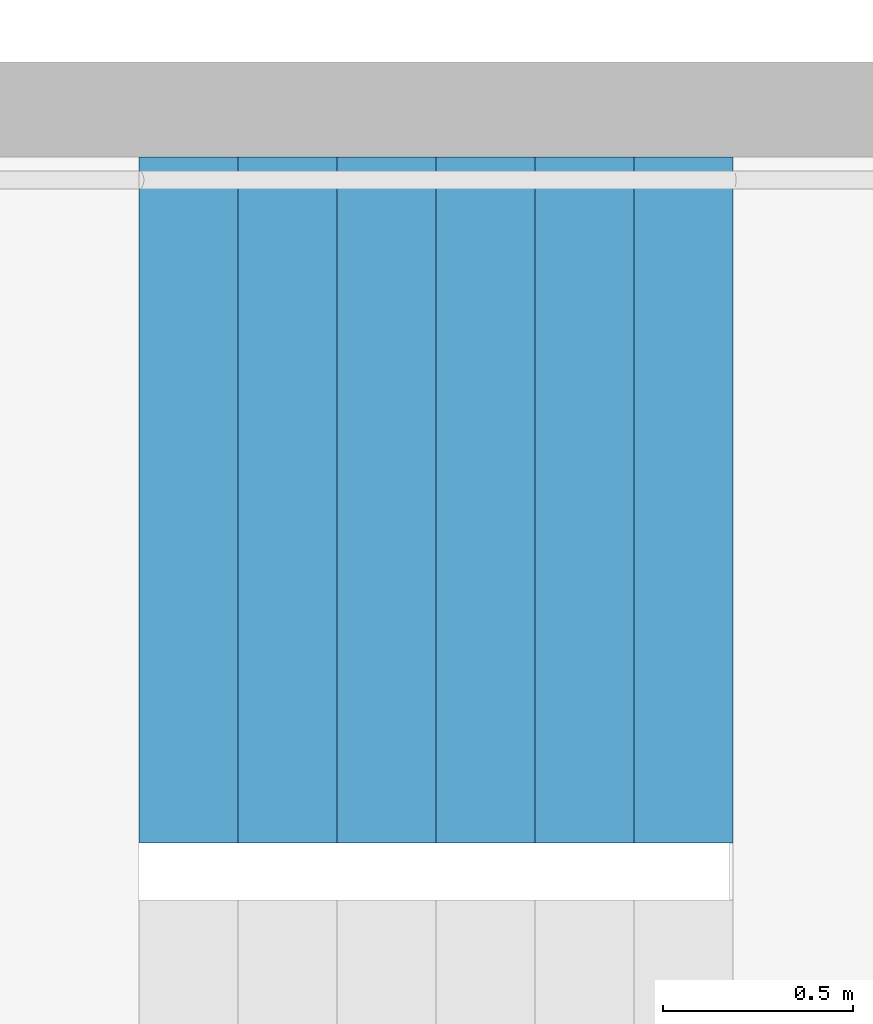
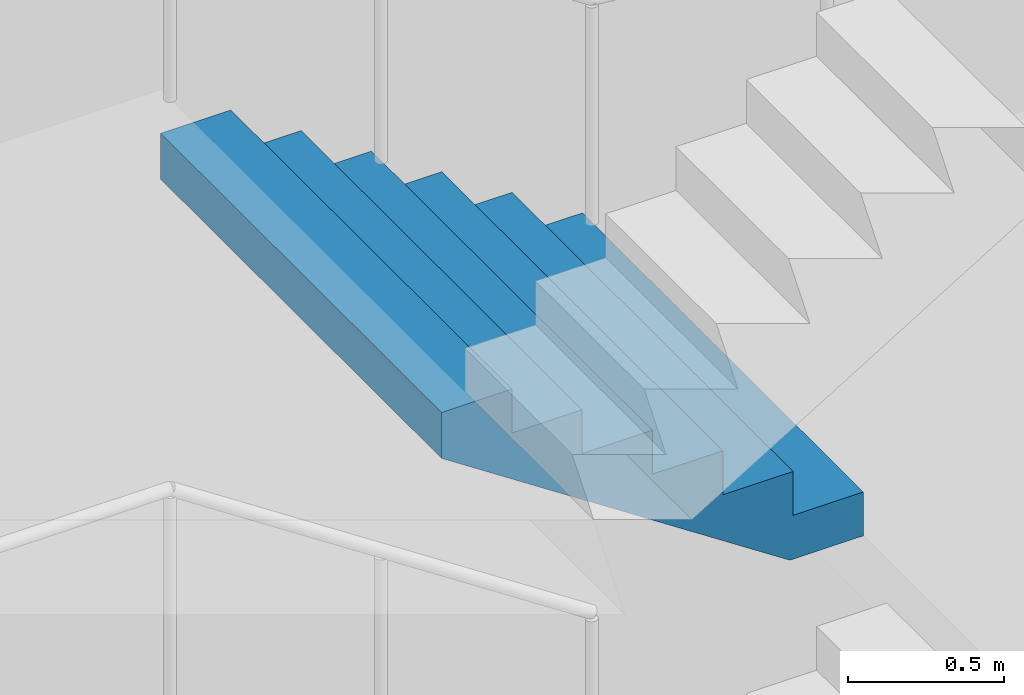
# One storey, part 30 of 53: 1 stair flight, 1 element without a shape of its own.
"""IFC4 building model written with IfcOpenShell, lengths in metres."""

from ifc_helpers import new_model, si_unit, direction, frame, origin, place, context, subcontext, project, spatial, triangles, material, type_object, element, aggregate, save


model = new_model("IFC4")

# Units and contexts
model_context = context("Model", 3, precision=1e-05, world=origin(), true_north=direction((0.0, 1.0)))
body_context = subcontext(model_context, "Body", "Model", "MODEL_VIEW")
ifc_project = project(units=[si_unit("LENGTHUNIT", "METRE"), si_unit("AREAUNIT", "SQUARE_METRE"), si_unit("VOLUMEUNIT", "CUBIC_METRE"), si_unit("PLANEANGLEUNIT", "RADIAN"), si_unit("MASSUNIT", "GRAM", prefix="KILO")], contexts=[model_context])

# Site, building, storey
site_placement = place(None, origin())
site = spatial("IfcSite", under=ifc_project, at=site_placement, CompositionType="ELEMENT")
building_placement = place(site_placement, origin())
building = spatial("IfcBuilding", under=site, at=building_placement, Name="Hakoniwa Tower and Hamabe Station Hall", CompositionType="ELEMENT")
storey_placement = place(building_placement, frame((0.0, 0.0, 15.0)))
storey = spatial("IfcBuildingStorey", under=building, at=storey_placement, Name="L03", CompositionType="ELEMENT", Elevation=15.0)

# Stair, stair flight
ifc_material_1 = material(Name="Concrete C40", Category="concrete")
stair_type = type_object("IfcStairType", Name="ESCAPE STAIR 1800", PredefinedType="HALF_TURN_STAIR", material=ifc_material_1)
stair_placement = place(storey_placement, origin())
stair = element("IfcStair", 1, at=stair_placement, inside=storey, type_object=stair_type, Name="Escape stair ST-2 L03", PredefinedType="HALF_TURN_STAIR")
ifc_material_2 = material(Name="Concrete C40", Category="concrete")
stair_flight_type = type_object("IfcStairFlightType", Name="STAIR FLIGHT 1800", PredefinedType="STRAIGHT", material=ifc_material_2)
stair_flight_placement = place(storey_placement, frame((-23.39990234375, -4.64990234375, 2.39990234375), z_axis=(0.0, 0.0, 1.0), x_axis=(-1.0, 0.0, 0.0)))
stair_flight = element("IfcStairFlight", 2, at=stair_flight_placement, type_object=stair_flight_type, Name="ST-2 flight 3", NumberOfRisers=7, NumberOfTreads=6, PredefinedType="STRAIGHT", RiserHeight=0.171428571, TreadLength=0.26, context=body_context, shape_type="Tessellation", body=[
    triangles([(0.0, 0.89990234375, 0.0), (0.260009765625, 0.89990234375, 0.0), (0.272216796875, 0.89990234375, 0.0), (0.52001953125, 0.89990234375, 0.163330078125), (0.780029296875, 0.89990234375, 0.334716796875), (1.0400390625, 0.89990234375, 0.506103515625), (1.300048828125, 0.89990234375, 0.677490234375), (1.56005859375, 0.89990234375, 0.84912109375), (1.56005859375, 0.89990234375, 1.028564453125), (1.300048828125, 0.89990234375, 1.028564453125), (1.300048828125, 0.89990234375, 0.857177734375), (1.0400390625, 0.89990234375, 0.857177734375), (1.0400390625, 0.89990234375, 0.685791015625), (0.780029296875, 0.89990234375, 0.685791015625), (0.780029296875, 0.89990234375, 0.514404296875), (0.52001953125, 0.89990234375, 0.514404296875), (0.52001953125, 0.89990234375, 0.3427734375), (0.272216796875, 0.89990234375, 0.3427734375), (0.260009765625, 0.89990234375, 0.3427734375), (0.260009765625, 0.89990234375, 0.17138671875), (0.0, 0.89990234375, 0.17138671875), (0.0, 0.06005859375, 0.0), (0.260009765625, 0.06005859375, 0.0), (0.272216796875, 0.06005859375, 0.0), (0.52001953125, 0.06005859375, 0.163330078125), (0.780029296875, 0.06005859375, 0.334716796875), (1.0400390625, 0.06005859375, 0.506103515625), (1.300048828125, 0.06005859375, 0.677490234375), (1.56005859375, 0.06005859375, 0.84912109375), (1.56005859375, 0.06005859375, 1.028564453125), (1.300048828125, 0.06005859375, 1.028564453125), (1.300048828125, 0.06005859375, 0.857177734375), (1.0400390625, 0.06005859375, 0.857177734375), (1.0400390625, 0.06005859375, 0.685791015625), (0.780029296875, 0.06005859375, 0.685791015625), (0.780029296875, 0.06005859375, 0.514404296875), (0.52001953125, 0.06005859375, 0.514404296875), (0.52001953125, 0.06005859375, 0.3427734375), (0.272216796875, 0.06005859375, 0.3427734375), (0.260009765625, 0.06005859375, 0.3427734375), (0.260009765625, 0.06005859375, 0.17138671875), (0.0, 0.06005859375, 0.17138671875), (0.0, 0.049072265625, 0.0), (0.260009765625, 0.049072265625, 0.0), (0.272216796875, 0.049072265625, 0.0), (0.52001953125, 0.049072265625, 0.163330078125), (0.780029296875, 0.049072265625, 0.334716796875), (1.0400390625, 0.049072265625, 0.506103515625), (1.300048828125, 0.049072265625, 0.677490234375), (1.56005859375, 0.049072265625, 0.84912109375), (1.56005859375, 0.049072265625, 1.028564453125), (1.300048828125, 0.049072265625, 1.028564453125), (1.300048828125, 0.049072265625, 0.857177734375), (1.0400390625, 0.049072265625, 0.857177734375), (1.0400390625, 0.049072265625, 0.685791015625), (0.780029296875, 0.049072265625, 0.685791015625), (0.780029296875, 0.049072265625, 0.514404296875), (0.52001953125, 0.049072265625, 0.514404296875), (0.52001953125, 0.049072265625, 0.3427734375), (0.272216796875, 0.049072265625, 0.3427734375), (0.260009765625, 0.049072265625, 0.3427734375), (0.260009765625, 0.049072265625, 0.17138671875), (0.0, 0.049072265625, 0.17138671875), (0.0, 0.0380859375, 0.0), (0.260009765625, 0.0380859375, 0.0), (0.272216796875, 0.0380859375, 0.0), (0.52001953125, 0.0380859375, 0.163330078125), (0.780029296875, 0.0380859375, 0.334716796875), (1.0400390625, 0.0380859375, 0.506103515625), (1.300048828125, 0.0380859375, 0.677490234375), (1.56005859375, 0.0380859375, 0.84912109375), (1.56005859375, 0.0380859375, 1.028564453125), (1.300048828125, 0.0380859375, 1.028564453125), (1.300048828125, 0.0380859375, 0.857177734375), (1.0400390625, 0.0380859375, 0.857177734375), (1.0400390625, 0.0380859375, 0.685791015625), (0.780029296875, 0.0380859375, 0.685791015625), (0.780029296875, 0.0380859375, 0.514404296875), (0.52001953125, 0.0380859375, 0.514404296875), (0.52001953125, 0.0380859375, 0.3427734375), (0.272216796875, 0.0380859375, 0.3427734375), (0.260009765625, 0.0380859375, 0.3427734375), (0.260009765625, 0.0380859375, 0.17138671875), (0.0, 0.0380859375, 0.17138671875), (0.0, 0.02734375, 0.0), (0.260009765625, 0.02734375, 0.0), (0.272216796875, 0.02734375, 0.0), (0.52001953125, 0.02734375, 0.163330078125), (0.780029296875, 0.02734375, 0.334716796875), (1.0400390625, 0.02734375, 0.506103515625), (1.300048828125, 0.02734375, 0.677490234375), (1.56005859375, 0.02734375, 0.84912109375), (1.56005859375, 0.02734375, 1.028564453125), (1.300048828125, 0.02734375, 1.028564453125), (1.300048828125, 0.02734375, 0.857177734375), (1.0400390625, 0.02734375, 0.857177734375), (1.0400390625, 0.02734375, 0.685791015625), (0.780029296875, 0.02734375, 0.685791015625), (0.780029296875, 0.02734375, 0.514404296875), (0.52001953125, 0.02734375, 0.514404296875), (0.52001953125, 0.02734375, 0.3427734375), (0.272216796875, 0.02734375, 0.3427734375), (0.260009765625, 0.02734375, 0.3427734375), (0.260009765625, 0.02734375, 0.17138671875), (0.0, 0.02734375, 0.17138671875), (0.0, 0.016357421875, 0.0), (0.260009765625, 0.016357421875, 0.0), (0.272216796875, 0.016357421875, 0.0), (0.52001953125, 0.016357421875, 0.163330078125), (0.780029296875, 0.016357421875, 0.334716796875), (1.0400390625, 0.016357421875, 0.506103515625), (1.300048828125, 0.016357421875, 0.677490234375), (1.56005859375, 0.016357421875, 0.84912109375), (1.56005859375, 0.016357421875, 1.028564453125), (1.300048828125, 0.016357421875, 1.028564453125), (1.300048828125, 0.016357421875, 0.857177734375), (1.0400390625, 0.016357421875, 0.857177734375), (1.0400390625, 0.016357421875, 0.685791015625), (0.780029296875, 0.016357421875, 0.685791015625), (0.780029296875, 0.016357421875, 0.514404296875), (0.52001953125, 0.016357421875, 0.514404296875), (0.52001953125, 0.016357421875, 0.3427734375), (0.272216796875, 0.016357421875, 0.3427734375), (0.260009765625, 0.016357421875, 0.3427734375), (0.260009765625, 0.016357421875, 0.17138671875), (0.0, 0.016357421875, 0.17138671875), (0.0, 0.00537109375, 0.0), (0.260009765625, 0.00537109375, 0.0), (0.272216796875, 0.00537109375, 0.0), (0.52001953125, 0.00537109375, 0.163330078125), (0.780029296875, 0.00537109375, 0.334716796875), (1.0400390625, 0.00537109375, 0.506103515625), (1.300048828125, 0.00537109375, 0.677490234375), (1.56005859375, 0.00537109375, 0.84912109375), (1.56005859375, 0.00537109375, 1.028564453125), (1.300048828125, 0.00537109375, 1.028564453125), (1.300048828125, 0.00537109375, 0.857177734375), (1.0400390625, 0.00537109375, 0.857177734375), (1.0400390625, 0.00537109375, 0.685791015625), (0.780029296875, 0.00537109375, 0.685791015625), (0.780029296875, 0.00537109375, 0.514404296875), (0.52001953125, 0.00537109375, 0.514404296875), (0.52001953125, 0.00537109375, 0.3427734375), (0.272216796875, 0.00537109375, 0.3427734375), (0.260009765625, 0.00537109375, 0.3427734375), (0.260009765625, 0.00537109375, 0.17138671875), (0.0, 0.00537109375, 0.17138671875), (0.0, -0.00537109375, 0.0), (0.260009765625, -0.00537109375, 0.0), (0.272216796875, -0.00537109375, 0.0), (0.52001953125, -0.00537109375, 0.163330078125), (0.780029296875, -0.00537109375, 0.334716796875), (1.0400390625, -0.00537109375, 0.506103515625), (1.300048828125, -0.00537109375, 0.677490234375), (1.56005859375, -0.00537109375, 0.84912109375), (1.56005859375, -0.00537109375, 1.028564453125), (1.300048828125, -0.00537109375, 1.028564453125), (1.300048828125, -0.00537109375, 0.857177734375), (1.0400390625, -0.00537109375, 0.857177734375), (1.0400390625, -0.00537109375, 0.685791015625), (0.780029296875, -0.00537109375, 0.685791015625), (0.780029296875, -0.00537109375, 0.514404296875), (0.52001953125, -0.00537109375, 0.514404296875), (0.52001953125, -0.00537109375, 0.3427734375), (0.272216796875, -0.00537109375, 0.3427734375), (0.260009765625, -0.00537109375, 0.3427734375), (0.260009765625, -0.00537109375, 0.17138671875), (0.0, -0.00537109375, 0.17138671875), (0.0, -0.016357421875, 0.0), (0.260009765625, -0.016357421875, 0.0), (0.272216796875, -0.016357421875, 0.0), (0.52001953125, -0.016357421875, 0.163330078125), (0.780029296875, -0.016357421875, 0.334716796875), (1.0400390625, -0.016357421875, 0.506103515625), (1.300048828125, -0.016357421875, 0.677490234375), (1.56005859375, -0.016357421875, 0.84912109375), (1.56005859375, -0.016357421875, 1.028564453125), (1.300048828125, -0.016357421875, 1.028564453125), (1.300048828125, -0.016357421875, 0.857177734375), (1.0400390625, -0.016357421875, 0.857177734375), (1.0400390625, -0.016357421875, 0.685791015625), (0.780029296875, -0.016357421875, 0.685791015625), (0.780029296875, -0.016357421875, 0.514404296875), (0.52001953125, -0.016357421875, 0.514404296875), (0.52001953125, -0.016357421875, 0.3427734375), (0.272216796875, -0.016357421875, 0.3427734375), (0.260009765625, -0.016357421875, 0.3427734375), (0.260009765625, -0.016357421875, 0.17138671875), (0.0, -0.016357421875, 0.17138671875), (0.0, -0.02734375, 0.0), (0.260009765625, -0.02734375, 0.0), (0.272216796875, -0.02734375, 0.0), (0.52001953125, -0.02734375, 0.163330078125), (0.780029296875, -0.02734375, 0.334716796875), (1.0400390625, -0.02734375, 0.506103515625), (1.300048828125, -0.02734375, 0.677490234375), (1.56005859375, -0.02734375, 0.84912109375), (1.56005859375, -0.02734375, 1.028564453125), (1.300048828125, -0.02734375, 1.028564453125), (1.300048828125, -0.02734375, 0.857177734375), (1.0400390625, -0.02734375, 0.857177734375), (1.0400390625, -0.02734375, 0.685791015625), (0.780029296875, -0.02734375, 0.685791015625), (0.780029296875, -0.02734375, 0.514404296875), (0.52001953125, -0.02734375, 0.514404296875), (0.52001953125, -0.02734375, 0.3427734375), (0.272216796875, -0.02734375, 0.3427734375), (0.260009765625, -0.02734375, 0.3427734375), (0.260009765625, -0.02734375, 0.17138671875), (0.0, -0.02734375, 0.17138671875), (0.0, -0.0380859375, 0.0), (0.260009765625, -0.0380859375, 0.0), (0.272216796875, -0.0380859375, 0.0), (0.52001953125, -0.0380859375, 0.163330078125), (0.780029296875, -0.0380859375, 0.334716796875), (1.0400390625, -0.0380859375, 0.506103515625), (1.300048828125, -0.0380859375, 0.677490234375), (1.56005859375, -0.0380859375, 0.84912109375), (1.56005859375, -0.0380859375, 1.028564453125), (1.300048828125, -0.0380859375, 1.028564453125), (1.300048828125, -0.0380859375, 0.857177734375), (1.0400390625, -0.0380859375, 0.857177734375), (1.0400390625, -0.0380859375, 0.685791015625), (0.780029296875, -0.0380859375, 0.685791015625), (0.780029296875, -0.0380859375, 0.514404296875), (0.52001953125, -0.0380859375, 0.514404296875), (0.52001953125, -0.0380859375, 0.3427734375), (0.272216796875, -0.0380859375, 0.3427734375), (0.260009765625, -0.0380859375, 0.3427734375), (0.260009765625, -0.0380859375, 0.17138671875), (0.0, -0.0380859375, 0.17138671875), (0.0, -0.049072265625, 0.0), (0.260009765625, -0.049072265625, 0.0), (0.272216796875, -0.049072265625, 0.0), (0.52001953125, -0.049072265625, 0.163330078125), (0.780029296875, -0.049072265625, 0.334716796875), (1.0400390625, -0.049072265625, 0.506103515625), (1.300048828125, -0.049072265625, 0.677490234375), (1.56005859375, -0.049072265625, 0.84912109375), (1.56005859375, -0.049072265625, 1.028564453125), (1.300048828125, -0.049072265625, 1.028564453125), (1.300048828125, -0.049072265625, 0.857177734375), (1.0400390625, -0.049072265625, 0.857177734375), (1.0400390625, -0.049072265625, 0.685791015625), (0.780029296875, -0.049072265625, 0.685791015625), (0.780029296875, -0.049072265625, 0.514404296875), (0.52001953125, -0.049072265625, 0.514404296875), (0.52001953125, -0.049072265625, 0.3427734375), (0.272216796875, -0.049072265625, 0.3427734375), (0.260009765625, -0.049072265625, 0.3427734375), (0.260009765625, -0.049072265625, 0.17138671875), (0.0, -0.049072265625, 0.17138671875), (0.0, -0.06005859375, 0.0), (0.260009765625, -0.06005859375, 0.0), (0.272216796875, -0.06005859375, 0.0), (0.52001953125, -0.06005859375, 0.163330078125), (0.780029296875, -0.06005859375, 0.334716796875), (1.0400390625, -0.06005859375, 0.506103515625), (1.300048828125, -0.06005859375, 0.677490234375), (1.56005859375, -0.06005859375, 0.84912109375), (1.56005859375, -0.06005859375, 1.028564453125), (1.300048828125, -0.06005859375, 1.028564453125), (1.300048828125, -0.06005859375, 0.857177734375), (1.0400390625, -0.06005859375, 0.857177734375), (1.0400390625, -0.06005859375, 0.685791015625), (0.780029296875, -0.06005859375, 0.685791015625), (0.780029296875, -0.06005859375, 0.514404296875), (0.52001953125, -0.06005859375, 0.514404296875), (0.52001953125, -0.06005859375, 0.3427734375), (0.272216796875, -0.06005859375, 0.3427734375), (0.260009765625, -0.06005859375, 0.3427734375), (0.260009765625, -0.06005859375, 0.17138671875), (0.0, -0.06005859375, 0.17138671875), (0.0, -0.89990234375, 0.0), (0.260009765625, -0.89990234375, 0.0), (0.272216796875, -0.89990234375, 0.0), (0.52001953125, -0.89990234375, 0.163330078125), (0.780029296875, -0.89990234375, 0.334716796875), (1.0400390625, -0.89990234375, 0.506103515625), (1.300048828125, -0.89990234375, 0.677490234375), (1.56005859375, -0.89990234375, 0.84912109375), (1.56005859375, -0.89990234375, 1.028564453125), (1.300048828125, -0.89990234375, 1.028564453125), (1.300048828125, -0.89990234375, 0.857177734375), (1.0400390625, -0.89990234375, 0.857177734375), (1.0400390625, -0.89990234375, 0.685791015625), (0.780029296875, -0.89990234375, 0.685791015625), (0.780029296875, -0.89990234375, 0.514404296875), (0.52001953125, -0.89990234375, 0.514404296875), (0.52001953125, -0.89990234375, 0.3427734375), (0.272216796875, -0.89990234375, 0.3427734375), (0.260009765625, -0.89990234375, 0.3427734375), (0.260009765625, -0.89990234375, 0.17138671875), (0.0, -0.89990234375, 0.17138671875)], [[2, 21, 20], [275, 293, 294], [2, 1, 21], [275, 294, 274], [3, 19, 18], [276, 291, 292], [3, 20, 19], [276, 292, 293], [3, 2, 20], [276, 293, 275], [4, 18, 17], [277, 290, 291], [4, 3, 18], [277, 291, 276], [5, 16, 15], [278, 288, 289], [5, 17, 16], [278, 289, 290], [5, 4, 17], [278, 290, 277], [6, 14, 13], [279, 286, 287], [6, 15, 14], [279, 287, 288], [6, 5, 15], [279, 288, 278], [7, 12, 11], [280, 284, 285], [7, 13, 12], [280, 285, 286], [7, 6, 13], [280, 286, 279], [8, 10, 9], [281, 282, 283], [8, 11, 10], [281, 283, 284], [8, 7, 11], [281, 284, 280], [1, 2, 23], [1, 23, 22], [22, 23, 44], [22, 44, 43], [43, 44, 65], [43, 65, 64], [64, 65, 86], [64, 86, 85], [85, 86, 107], [85, 107, 106], [106, 107, 128], [106, 128, 127], [127, 128, 149], [127, 149, 148], [148, 149, 170], [148, 170, 169], [169, 170, 191], [169, 191, 190], [190, 191, 212], [190, 212, 211], [211, 212, 233], [211, 233, 232], [232, 233, 254], [232, 254, 253], [253, 254, 275], [253, 275, 274], [2, 3, 24], [2, 24, 23], [23, 24, 45], [23, 45, 44], [44, 45, 66], [44, 66, 65], [65, 66, 87], [65, 87, 86], [86, 87, 108], [86, 108, 107], [107, 108, 129], [107, 129, 128], [128, 129, 150], [128, 150, 149], [149, 150, 171], [149, 171, 170], [170, 171, 192], [170, 192, 191], [191, 192, 213], [191, 213, 212], [212, 213, 234], [212, 234, 233], [233, 234, 255], [233, 255, 254], [254, 255, 276], [254, 276, 275], [3, 4, 25], [3, 25, 24], [24, 25, 46], [24, 46, 45], [45, 46, 67], [45, 67, 66], [66, 67, 88], [66, 88, 87], [87, 88, 109], [87, 109, 108], [108, 109, 130], [108, 130, 129], [129, 130, 151], [129, 151, 150], [150, 151, 172], [150, 172, 171], [171, 172, 193], [171, 193, 192], [192, 193, 214], [192, 214, 213], [213, 214, 235], [213, 235, 234], [234, 235, 256], [234, 256, 255], [255, 256, 277], [255, 277, 276], [4, 5, 26], [4, 26, 25], [25, 26, 47], [25, 47, 46], [46, 47, 68], [46, 68, 67], [67, 68, 89], [67, 89, 88], [88, 89, 110], [88, 110, 109], [109, 110, 131], [109, 131, 130], [130, 131, 152], [130, 152, 151], [151, 152, 173], [151, 173, 172], [172, 173, 194], [172, 194, 193], [193, 194, 215], [193, 215, 214], [214, 215, 236], [214, 236, 235], [235, 236, 257], [235, 257, 256], [256, 257, 278], [256, 278, 277], [5, 6, 27], [5, 27, 26], [26, 27, 48], [26, 48, 47], [47, 48, 69], [47, 69, 68], [68, 69, 90], [68, 90, 89], [89, 90, 111], [89, 111, 110], [110, 111, 132], [110, 132, 131], [131, 132, 153], [131, 153, 152], [152, 153, 174], [152, 174, 173], [173, 174, 195], [173, 195, 194], [194, 195, 216], [194, 216, 215], [215, 216, 237], [215, 237, 236], [236, 237, 258], [236, 258, 257], [257, 258, 279], [257, 279, 278], [6, 7, 28], [6, 28, 27], [27, 28, 49], [27, 49, 48], [48, 49, 70], [48, 70, 69], [69, 70, 91], [69, 91, 90], [90, 91, 112], [90, 112, 111], [111, 112, 133], [111, 133, 132], [132, 133, 154], [132, 154, 153], [153, 154, 175], [153, 175, 174], [174, 175, 196], [174, 196, 195], [195, 196, 217], [195, 217, 216], [216, 217, 238], [216, 238, 237], [237, 238, 259], [237, 259, 258], [258, 259, 280], [258, 280, 279], [7, 8, 29], [7, 29, 28], [28, 29, 50], [28, 50, 49], [49, 50, 71], [49, 71, 70], [70, 71, 92], [70, 92, 91], [91, 92, 113], [91, 113, 112], [112, 113, 134], [112, 134, 133], [133, 134, 155], [133, 155, 154], [154, 155, 176], [154, 176, 175], [175, 176, 197], [175, 197, 196], [196, 197, 218], [196, 218, 217], [217, 218, 239], [217, 239, 238], [238, 239, 260], [238, 260, 259], [259, 260, 281], [259, 281, 280], [8, 9, 30], [8, 30, 29], [29, 30, 51], [29, 51, 50], [50, 51, 72], [50, 72, 71], [71, 72, 93], [71, 93, 92], [92, 93, 114], [92, 114, 113], [113, 114, 135], [113, 135, 134], [134, 135, 156], [134, 156, 155], [155, 156, 177], [155, 177, 176], [176, 177, 198], [176, 198, 197], [197, 198, 219], [197, 219, 218], [218, 219, 240], [218, 240, 239], [239, 240, 261], [239, 261, 260], [260, 261, 282], [260, 282, 281], [9, 10, 31], [9, 31, 30], [30, 31, 52], [30, 52, 51], [51, 52, 73], [51, 73, 72], [72, 73, 94], [72, 94, 93], [93, 94, 115], [93, 115, 114], [114, 115, 136], [114, 136, 135], [135, 136, 157], [135, 157, 156], [156, 157, 178], [156, 178, 177], [177, 178, 199], [177, 199, 198], [198, 199, 220], [198, 220, 219], [219, 220, 241], [219, 241, 240], [240, 241, 262], [240, 262, 261], [261, 262, 283], [261, 283, 282], [10, 11, 32], [10, 32, 31], [31, 32, 53], [31, 53, 52], [52, 53, 74], [52, 74, 73], [73, 74, 95], [73, 95, 94], [94, 95, 116], [94, 116, 115], [115, 116, 137], [115, 137, 136], [136, 137, 158], [136, 158, 157], [157, 158, 179], [157, 179, 178], [178, 179, 200], [178, 200, 199], [199, 200, 221], [199, 221, 220], [220, 221, 242], [220, 242, 241], [241, 242, 263], [241, 263, 262], [262, 263, 284], [262, 284, 283], [11, 12, 33], [11, 33, 32], [32, 33, 54], [32, 54, 53], [53, 54, 75], [53, 75, 74], [74, 75, 96], [74, 96, 95], [95, 96, 117], [95, 117, 116], [116, 117, 138], [116, 138, 137], [137, 138, 159], [137, 159, 158], [158, 159, 180], [158, 180, 179], [179, 180, 201], [179, 201, 200], [200, 201, 222], [200, 222, 221], [221, 222, 243], [221, 243, 242], [242, 243, 264], [242, 264, 263], [263, 264, 285], [263, 285, 284], [12, 13, 34], [12, 34, 33], [33, 34, 55], [33, 55, 54], [54, 55, 76], [54, 76, 75], [75, 76, 97], [75, 97, 96], [96, 97, 118], [96, 118, 117], [117, 118, 139], [117, 139, 138], [138, 139, 160], [138, 160, 159], [159, 160, 181], [159, 181, 180], [180, 181, 202], [180, 202, 201], [201, 202, 223], [201, 223, 222], [222, 223, 244], [222, 244, 243], [243, 244, 265], [243, 265, 264], [264, 265, 286], [264, 286, 285], [13, 14, 35], [13, 35, 34], [34, 35, 56], [34, 56, 55], [55, 56, 77], [55, 77, 76], [76, 77, 98], [76, 98, 97], [97, 98, 119], [97, 119, 118], [118, 119, 140], [118, 140, 139], [139, 140, 161], [139, 161, 160], [160, 161, 182], [160, 182, 181], [181, 182, 203], [181, 203, 202], [202, 203, 224], [202, 224, 223], [223, 224, 245], [223, 245, 244], [244, 245, 266], [244, 266, 265], [265, 266, 287], [265, 287, 286], [14, 15, 36], [14, 36, 35], [35, 36, 57], [35, 57, 56], [56, 57, 78], [56, 78, 77], [77, 78, 99], [77, 99, 98], [98, 99, 120], [98, 120, 119], [119, 120, 141], [119, 141, 140], [140, 141, 162], [140, 162, 161], [161, 162, 183], [161, 183, 182], [182, 183, 204], [182, 204, 203], [203, 204, 225], [203, 225, 224], [224, 225, 246], [224, 246, 245], [245, 246, 267], [245, 267, 266], [266, 267, 288], [266, 288, 287], [15, 16, 37], [15, 37, 36], [36, 37, 58], [36, 58, 57], [57, 58, 79], [57, 79, 78], [78, 79, 100], [78, 100, 99], [99, 100, 121], [99, 121, 120], [120, 121, 142], [120, 142, 141], [141, 142, 163], [141, 163, 162], [162, 163, 184], [162, 184, 183], [183, 184, 205], [183, 205, 204], [204, 205, 226], [204, 226, 225], [225, 226, 247], [225, 247, 246], [246, 247, 268], [246, 268, 267], [267, 268, 289], [267, 289, 288], [16, 17, 38], [16, 38, 37], [37, 38, 59], [37, 59, 58], [58, 59, 80], [58, 80, 79], [79, 80, 101], [79, 101, 100], [100, 101, 122], [100, 122, 121], [121, 122, 143], [121, 143, 142], [142, 143, 164], [142, 164, 163], [163, 164, 185], [163, 185, 184], [184, 185, 206], [184, 206, 205], [205, 206, 227], [205, 227, 226], [226, 227, 248], [226, 248, 247], [247, 248, 269], [247, 269, 268], [268, 269, 290], [268, 290, 289], [17, 18, 39], [17, 39, 38], [38, 39, 60], [38, 60, 59], [59, 60, 81], [59, 81, 80], [80, 81, 102], [80, 102, 101], [101, 102, 123], [101, 123, 122], [122, 123, 144], [122, 144, 143], [143, 144, 165], [143, 165, 164], [164, 165, 186], [164, 186, 185], [185, 186, 207], [185, 207, 206], [206, 207, 228], [206, 228, 227], [227, 228, 249], [227, 249, 248], [248, 249, 270], [248, 270, 269], [269, 270, 291], [269, 291, 290], [18, 19, 40], [18, 40, 39], [39, 40, 61], [39, 61, 60], [60, 61, 82], [60, 82, 81], [81, 82, 103], [81, 103, 102], [102, 103, 124], [102, 124, 123], [123, 124, 145], [123, 145, 144], [144, 145, 166], [144, 166, 165], [165, 166, 187], [165, 187, 186], [186, 187, 208], [186, 208, 207], [207, 208, 229], [207, 229, 228], [228, 229, 250], [228, 250, 249], [249, 250, 271], [249, 271, 270], [270, 271, 292], [270, 292, 291], [19, 20, 41], [19, 41, 40], [40, 41, 62], [40, 62, 61], [61, 62, 83], [61, 83, 82], [82, 83, 104], [82, 104, 103], [103, 104, 125], [103, 125, 124], [124, 125, 146], [124, 146, 145], [145, 146, 167], [145, 167, 166], [166, 167, 188], [166, 188, 187], [187, 188, 209], [187, 209, 208], [208, 209, 230], [208, 230, 229], [229, 230, 251], [229, 251, 250], [250, 251, 272], [250, 272, 271], [271, 272, 293], [271, 293, 292], [20, 21, 42], [20, 42, 41], [41, 42, 63], [41, 63, 62], [62, 63, 84], [62, 84, 83], [83, 84, 105], [83, 105, 104], [104, 105, 126], [104, 126, 125], [125, 126, 147], [125, 147, 146], [146, 147, 168], [146, 168, 167], [167, 168, 189], [167, 189, 188], [188, 189, 210], [188, 210, 209], [209, 210, 231], [209, 231, 230], [230, 231, 252], [230, 252, 251], [251, 252, 273], [251, 273, 272], [272, 273, 294], [272, 294, 293], [21, 1, 22], [21, 22, 42], [42, 22, 43], [42, 43, 63], [63, 43, 64], [63, 64, 84], [84, 64, 85], [84, 85, 105], [105, 85, 106], [105, 106, 126], [126, 106, 127], [126, 127, 147], [147, 127, 148], [147, 148, 168], [168, 148, 169], [168, 169, 189], [189, 169, 190], [189, 190, 210], [210, 190, 211], [210, 211, 231], [231, 211, 232], [231, 232, 252], [252, 232, 253], [252, 253, 273], [273, 253, 274], [273, 274, 294]], closed=True),
])
aggregate(stair, [stair_flight])

save(model, "model.ifc")
